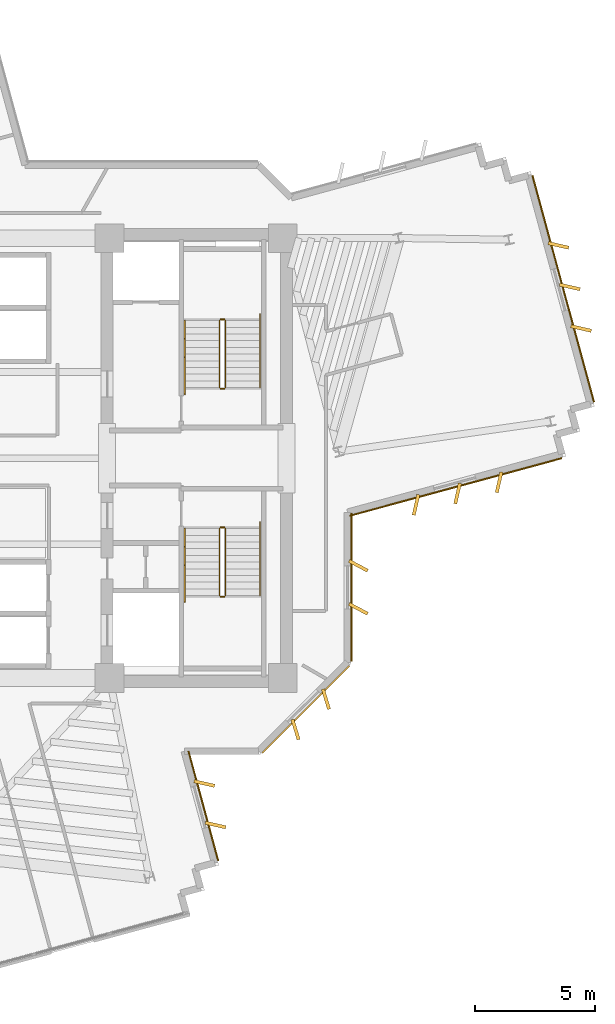
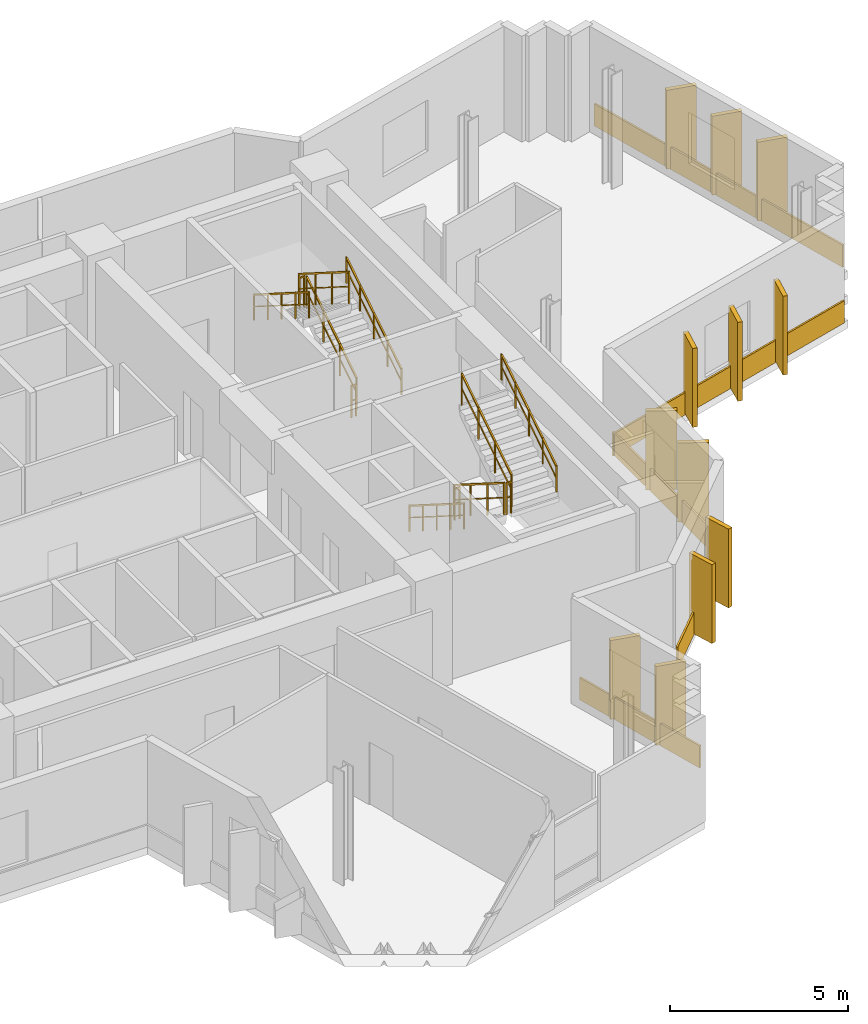
# One storey, part 14 of 15: 17 coverings, 12 railings.
"""IFC4 building model written with IfcOpenShell, lengths in metres."""

from ifc_helpers import new_model, si_unit, direction, frame, origin, origin_2d, place, context, subcontext, project, spatial, rectangle, extrude, source, transform, mapped, material, layer, layer_set, type_object, element, save


model = new_model("IFC4")

# Units and contexts
model_context = context("Model", 3, precision=1e-05, world=origin(), true_north=direction((0.0, 1.0)))
body_context = subcontext(model_context, "Body", "Model", "MODEL_VIEW")
ifc_project = project(units=[si_unit("LENGTHUNIT", "METRE"), si_unit("AREAUNIT", "SQUARE_METRE"), si_unit("VOLUMEUNIT", "CUBIC_METRE"), si_unit("PLANEANGLEUNIT", "RADIAN"), si_unit("MASSUNIT", "GRAM", prefix="KILO")], contexts=[model_context])

# Site, building, storey
site_placement = place(None, origin())
site = spatial("IfcSite", under=ifc_project, at=site_placement, CompositionType="ELEMENT")
building_placement = place(site_placement, origin())
building = spatial("IfcBuilding", under=site, at=building_placement, Name="Zahravan Cultural Tower", CompositionType="ELEMENT")
storey_placement = place(building_placement, frame((0.0, 0.0, 194.10009765625)))
storey = spatial("IfcBuildingStorey", under=building, at=storey_placement, Name="L45", CompositionType="ELEMENT", Elevation=194.10009765625)

# Railings
ifc_material_1 = material(Name="Steel ASTM A572 Grade 50", Category="steel")
railing_type_1 = type_object("IfcRailingType", Name="RL-STAIR-GRD1150", PredefinedType="BALUSTRADE", material=ifc_material_1)
railing_1_placement = place(storey_placement, frame((47.949951171875, 29.949951171875, 0.17724609375)))
element("IfcRailing", 1, at=railing_1_placement, inside=storey, type_object=railing_type_1, Name="L45 ST-E1 stair guard 1", PredefinedType="BALUSTRADE", context=body_context, shape_type="SweptSolid", body=[
    extrude(rectangle(XDim=0.05, YDim=0.05, at=origin_2d()), frame((0.0, 0.0, 1.0751953125), z_axis=(0.0, 0.844908973607, 0.534910110503), x_axis=(-1.0, 0.0, 0.0)), (0.0, 0.0, 1.0), 3.31396484375),
    extrude(rectangle(XDim=0.032, YDim=0.032, at=origin_2d()), frame((0.0, 0.0, 0.572021484375), z_axis=(0.0, 0.844908973607, 0.534910110503), x_axis=(-1.0, 0.0, 0.0)), (0.0, 0.0, 1.0), 3.31396484375),
    extrude(rectangle(XDim=0.04, YDim=0.04, at=origin_2d()), origin(), (0.0, 0.0, 1.0), 1.10009765625),
    extrude(rectangle(XDim=0.04, YDim=0.04, at=origin_2d()), frame((0.0, 0.933349609375, 0.5908203125)), (0.0, 0.0, 1.0), 1.10009765625),
    extrude(rectangle(XDim=0.04, YDim=0.04, at=origin_2d()), frame((0.0, 1.86669921875, 1.181884765625)), (0.0, 0.0, 1.0), 1.10009765625),
    extrude(rectangle(XDim=0.04, YDim=0.04, at=origin_2d()), frame((0.0, 2.800048828125, 1.772705078125)), (0.0, 0.0, 1.0), 1.10009765625),
])
railing_2_placement = place(storey_placement, frame((47.89990234375, 32.800048828125, 1.949951171875)))
element("IfcRailing", 2, at=railing_2_placement, inside=storey, type_object=railing_type_1, Name="L45 ST-E1 stair guard 2", PredefinedType="BALUSTRADE", context=body_context, shape_type="SweptSolid", body=[
    extrude(rectangle(XDim=0.05, YDim=0.05, at=origin_2d()), frame((0.0, 0.0, 1.0751953125), z_axis=(-1.0, 0.0, 0.0), x_axis=(0.0, -1.0, 0.0)), (0.0, 0.0, 1.0), 0.14990234375),
    extrude(rectangle(XDim=0.032, YDim=0.032, at=origin_2d()), frame((0.0, 0.0, 0.572021484375), z_axis=(-1.0, 0.0, 0.0), x_axis=(0.0, -1.0, 0.0)), (0.0, 0.0, 1.0), 0.14990234375),
    extrude(rectangle(XDim=0.04, YDim=0.04, at=origin_2d()), origin(), (0.0, 0.0, 1.0), 1.10009765625),
    extrude(rectangle(XDim=0.04, YDim=0.04, at=origin_2d()), frame((-0.14990234375, 0.0, 0.0)), (0.0, 0.0, 1.0), 1.10009765625),
])
railing_3_placement = place(storey_placement, frame((47.699951171875, 32.75, 2.127197265625)))
element("IfcRailing", 3, at=railing_3_placement, inside=storey, type_object=railing_type_1, Name="L45 ST-E1 stair guard 3", PredefinedType="BALUSTRADE", context=body_context, shape_type="SweptSolid", body=[
    extrude(rectangle(XDim=0.05, YDim=0.05, at=origin_2d()), frame((0.0, 0.0, 1.0751953125), z_axis=(0.0, -0.844908973607, 0.534910110503), x_axis=(1.0, 0.0, 0.0)), (0.0, 0.0, 1.0), 3.31396484375),
    extrude(rectangle(XDim=0.032, YDim=0.032, at=origin_2d()), frame((0.0, 0.0, 0.572021484375), z_axis=(0.0, -0.844908973607, 0.534910110503), x_axis=(1.0, 0.0, 0.0)), (0.0, 0.0, 1.0), 3.31396484375),
    extrude(rectangle(XDim=0.04, YDim=0.04, at=origin_2d()), origin(), (0.0, 0.0, 1.0), 1.10009765625),
    extrude(rectangle(XDim=0.04, YDim=0.04, at=origin_2d()), frame((0.0, -0.933349609375, 0.5908203125)), (0.0, 0.0, 1.0), 1.10009765625),
    extrude(rectangle(XDim=0.04, YDim=0.04, at=origin_2d()), frame((0.0, -1.86669921875, 1.181884765625)), (0.0, 0.0, 1.0), 1.10009765625),
    extrude(rectangle(XDim=0.04, YDim=0.04, at=origin_2d()), frame((0.0, -2.800048828125, 1.772705078125)), (0.0, 0.0, 1.0), 1.10009765625),
])
railing_4_placement = place(storey_placement, frame((47.89990234375, 29.89990234375, 0.0)))
element("IfcRailing", 4, at=railing_4_placement, inside=storey, type_object=railing_type_1, Name="L45 ST-E1 stair guard 4", PredefinedType="BALUSTRADE", context=body_context, shape_type="SweptSolid", body=[
    extrude(rectangle(XDim=0.05, YDim=0.05, at=origin_2d()), frame((0.0, 0.0, 1.0751953125), z_axis=(-1.0, 0.0, 0.0), x_axis=(0.0, -1.0, 0.0)), (0.0, 0.0, 1.0), 0.14990234375),
    extrude(rectangle(XDim=0.032, YDim=0.032, at=origin_2d()), frame((0.0, 0.0, 0.572021484375), z_axis=(-1.0, 0.0, 0.0), x_axis=(0.0, -1.0, 0.0)), (0.0, 0.0, 1.0), 0.14990234375),
    extrude(rectangle(XDim=0.04, YDim=0.04, at=origin_2d()), origin(), (0.0, 0.0, 1.0), 1.10009765625),
    extrude(rectangle(XDim=0.04, YDim=0.04, at=origin_2d()), frame((-0.14990234375, 0.0, 0.0)), (0.0, 0.0, 1.0), 1.10009765625),
])
railing_5_placement = place(storey_placement, frame((47.699951171875, 24.050048828125, 0.17724609375)))
element("IfcRailing", 5, at=railing_5_placement, inside=storey, type_object=railing_type_1, Name="L45 ST-E2 stair guard 1", PredefinedType="BALUSTRADE", context=body_context, shape_type="SweptSolid", body=[
    extrude(rectangle(XDim=0.05, YDim=0.05, at=origin_2d()), frame((0.0, 0.0, 1.0751953125), z_axis=(0.0, -0.844908973607, 0.534910110503), x_axis=(1.0, 0.0, 0.0)), (0.0, 0.0, 1.0), 3.31396484375),
    extrude(rectangle(XDim=0.032, YDim=0.032, at=origin_2d()), frame((0.0, 0.0, 0.572021484375), z_axis=(0.0, -0.844908973607, 0.534910110503), x_axis=(1.0, 0.0, 0.0)), (0.0, 0.0, 1.0), 3.31396484375),
    extrude(rectangle(XDim=0.04, YDim=0.04, at=origin_2d()), origin(), (0.0, 0.0, 1.0), 1.10009765625),
    extrude(rectangle(XDim=0.04, YDim=0.04, at=origin_2d()), frame((0.0, -0.933349609375, 0.5908203125)), (0.0, 0.0, 1.0), 1.10009765625),
    extrude(rectangle(XDim=0.04, YDim=0.04, at=origin_2d()), frame((0.0, -1.86669921875, 1.181884765625)), (0.0, 0.0, 1.0), 1.10009765625),
    extrude(rectangle(XDim=0.04, YDim=0.04, at=origin_2d()), frame((0.0, -2.800048828125, 1.772705078125)), (0.0, 0.0, 1.0), 1.10009765625),
])
railing_6_placement = place(storey_placement, frame((47.75, 21.199951171875, 1.949951171875)))
element("IfcRailing", 6, at=railing_6_placement, inside=storey, type_object=railing_type_1, Name="L45 ST-E2 stair guard 2", PredefinedType="BALUSTRADE", context=body_context, shape_type="SweptSolid", body=[
    extrude(rectangle(XDim=0.05, YDim=0.05, at=origin_2d()), frame((0.0, 0.0, 1.0751953125), z_axis=(1.0, 0.0, 0.0), x_axis=(0.0, 1.0, 0.0)), (0.0, 0.0, 1.0), 0.14990234375),
    extrude(rectangle(XDim=0.032, YDim=0.032, at=origin_2d()), frame((0.0, 0.0, 0.572021484375), z_axis=(1.0, 0.0, 0.0), x_axis=(0.0, 1.0, 0.0)), (0.0, 0.0, 1.0), 0.14990234375),
    extrude(rectangle(XDim=0.04, YDim=0.04, at=origin_2d()), origin(), (0.0, 0.0, 1.0), 1.10009765625),
    extrude(rectangle(XDim=0.04, YDim=0.04, at=origin_2d()), frame((0.14990234375, 0.0, 0.0)), (0.0, 0.0, 1.0), 1.10009765625),
])
railing_7_placement = place(storey_placement, frame((47.949951171875, 21.25, 2.127197265625)))
element("IfcRailing", 7, at=railing_7_placement, inside=storey, type_object=railing_type_1, Name="L45 ST-E2 stair guard 3", PredefinedType="BALUSTRADE", context=body_context, shape_type="SweptSolid", body=[
    extrude(rectangle(XDim=0.05, YDim=0.05, at=origin_2d()), frame((0.0, 0.0, 1.0751953125), z_axis=(0.0, 0.844908973607, 0.534910110503), x_axis=(-1.0, 0.0, 0.0)), (0.0, 0.0, 1.0), 3.31396484375),
    extrude(rectangle(XDim=0.032, YDim=0.032, at=origin_2d()), frame((0.0, 0.0, 0.572021484375), z_axis=(0.0, 0.844908973607, 0.534910110503), x_axis=(-1.0, 0.0, 0.0)), (0.0, 0.0, 1.0), 3.31396484375),
    extrude(rectangle(XDim=0.04, YDim=0.04, at=origin_2d()), origin(), (0.0, 0.0, 1.0), 1.10009765625),
    extrude(rectangle(XDim=0.04, YDim=0.04, at=origin_2d()), frame((0.0, 0.933349609375, 0.5908203125)), (0.0, 0.0, 1.0), 1.10009765625),
    extrude(rectangle(XDim=0.04, YDim=0.04, at=origin_2d()), frame((0.0, 1.86669921875, 1.181884765625)), (0.0, 0.0, 1.0), 1.10009765625),
    extrude(rectangle(XDim=0.04, YDim=0.04, at=origin_2d()), frame((0.0, 2.800048828125, 1.772705078125)), (0.0, 0.0, 1.0), 1.10009765625),
])
railing_8_placement = place(storey_placement, frame((47.75, 24.10009765625, 0.0)))
element("IfcRailing", 8, at=railing_8_placement, inside=storey, type_object=railing_type_1, Name="L45 ST-E2 stair guard 4", PredefinedType="BALUSTRADE", context=body_context, shape_type="SweptSolid", body=[
    extrude(rectangle(XDim=0.05, YDim=0.05, at=origin_2d()), frame((0.0, 0.0, 1.0751953125), z_axis=(1.0, 0.0, 0.0), x_axis=(0.0, 1.0, 0.0)), (0.0, 0.0, 1.0), 0.14990234375),
    extrude(rectangle(XDim=0.032, YDim=0.032, at=origin_2d()), frame((0.0, 0.0, 0.572021484375), z_axis=(1.0, 0.0, 0.0), x_axis=(0.0, 1.0, 0.0)), (0.0, 0.0, 1.0), 0.14990234375),
    extrude(rectangle(XDim=0.04, YDim=0.04, at=origin_2d()), origin(), (0.0, 0.0, 1.0), 1.10009765625),
    extrude(rectangle(XDim=0.04, YDim=0.04, at=origin_2d()), frame((0.14990234375, 0.0, 0.0)), (0.0, 0.0, 1.0), 1.10009765625),
])
railing_type_2 = type_object("IfcRailingType", Name="RL-STAIR-HR900", PredefinedType="HANDRAIL", material=ifc_material_1)
railing_9_placement = place(storey_placement, frame((49.39990234375, 29.949951171875, 0.17724609375)))
element("IfcRailing", 9, at=railing_9_placement, inside=storey, type_object=railing_type_2, Name="L45 ST-E1 stair handrail 1", PredefinedType="HANDRAIL", context=body_context, shape_type="SweptSolid", body=[
    extrude(rectangle(XDim=0.05, YDim=0.05, at=origin_2d()), frame((0.0, 0.0, 0.875), z_axis=(0.0, 0.844913916606, 0.534902302785), x_axis=(-1.0, 0.0, 0.0)), (0.0, 0.0, 1.0), 3.6455078125),
    extrude(rectangle(XDim=0.032, YDim=0.032, at=origin_2d()), frame((0.0, 0.0, 0.468017578125), z_axis=(0.0, 0.844913916606, 0.534902302785), x_axis=(-1.0, 0.0, 0.0)), (0.0, 0.0, 1.0), 3.6455078125),
    extrude(rectangle(XDim=0.04, YDim=0.04, at=origin_2d()), origin(), (0.0, 0.0, 1.0), 0.89990234375),
    extrude(rectangle(XDim=0.04, YDim=0.04, at=origin_2d()), frame((0.0, 0.77001953125, 0.487548828125)), (0.0, 0.0, 1.0), 0.89990234375),
    extrude(rectangle(XDim=0.04, YDim=0.04, at=origin_2d()), frame((0.0, 1.5400390625, 0.97509765625)), (0.0, 0.0, 1.0), 0.89990234375),
    extrude(rectangle(XDim=0.04, YDim=0.04, at=origin_2d()), frame((0.0, 2.31005859375, 1.46240234375)), (0.0, 0.0, 1.0), 0.89990234375),
    extrude(rectangle(XDim=0.04, YDim=0.04, at=origin_2d()), frame((0.0, 3.080078125, 1.949951171875)), (0.0, 0.0, 1.0), 0.89990234375),
])
for number, where, name in (
    (10, (46.25, 32.75, 2.127197265625), "L45 ST-E1 stair handrail 2"),
    (11, (46.25, 24.050048828125, 0.17724609375), "L45 ST-E2 stair handrail 1"),
):
    element("IfcRailing", number, at=place(storey_placement, frame(where)), inside=storey, type_object=railing_type_2, Name=name, PredefinedType="HANDRAIL", context=body_context, shape_type="SweptSolid", body=[
        extrude(rectangle(XDim=0.05, YDim=0.05, at=origin_2d()), frame((0.0, 0.0, 0.875), z_axis=(0.0, -0.844913916606, 0.534902302785), x_axis=(1.0, 0.0, 0.0)), (0.0, 0.0, 1.0), 3.6455078125),
        extrude(rectangle(XDim=0.032, YDim=0.032, at=origin_2d()), frame((0.0, 0.0, 0.468017578125), z_axis=(0.0, -0.844913916606, 0.534902302785), x_axis=(1.0, 0.0, 0.0)), (0.0, 0.0, 1.0), 3.6455078125),
        extrude(rectangle(XDim=0.04, YDim=0.04, at=origin_2d()), origin(), (0.0, 0.0, 1.0), 0.89990234375),
        extrude(rectangle(XDim=0.04, YDim=0.04, at=origin_2d()), frame((0.0, -0.77001953125, 0.487548828125)), (0.0, 0.0, 1.0), 0.89990234375),
        extrude(rectangle(XDim=0.04, YDim=0.04, at=origin_2d()), frame((0.0, -1.5400390625, 0.97509765625)), (0.0, 0.0, 1.0), 0.89990234375),
        extrude(rectangle(XDim=0.04, YDim=0.04, at=origin_2d()), frame((0.0, -2.31005859375, 1.46240234375)), (0.0, 0.0, 1.0), 0.89990234375),
        extrude(rectangle(XDim=0.04, YDim=0.04, at=origin_2d()), frame((0.0, -3.080078125, 1.949951171875)), (0.0, 0.0, 1.0), 0.89990234375),
    ])
railing_10_placement = place(storey_placement, frame((49.39990234375, 21.25, 2.127197265625)))
element("IfcRailing", 12, at=railing_10_placement, inside=storey, type_object=railing_type_2, Name="L45 ST-E2 stair handrail 2", PredefinedType="HANDRAIL", context=body_context, shape_type="SweptSolid", body=[
    extrude(rectangle(XDim=0.05, YDim=0.05, at=origin_2d()), frame((0.0, 0.0, 0.875), z_axis=(0.0, 0.844913916606, 0.534902302785), x_axis=(-1.0, 0.0, 0.0)), (0.0, 0.0, 1.0), 3.6455078125),
    extrude(rectangle(XDim=0.032, YDim=0.032, at=origin_2d()), frame((0.0, 0.0, 0.468017578125), z_axis=(0.0, 0.844913916606, 0.534902302785), x_axis=(-1.0, 0.0, 0.0)), (0.0, 0.0, 1.0), 3.6455078125),
    extrude(rectangle(XDim=0.04, YDim=0.04, at=origin_2d()), origin(), (0.0, 0.0, 1.0), 0.89990234375),
    extrude(rectangle(XDim=0.04, YDim=0.04, at=origin_2d()), frame((0.0, 0.77001953125, 0.487548828125)), (0.0, 0.0, 1.0), 0.89990234375),
    extrude(rectangle(XDim=0.04, YDim=0.04, at=origin_2d()), frame((0.0, 1.5400390625, 0.97509765625)), (0.0, 0.0, 1.0), 0.89990234375),
    extrude(rectangle(XDim=0.04, YDim=0.04, at=origin_2d()), frame((0.0, 2.31005859375, 1.46240234375)), (0.0, 0.0, 1.0), 0.89990234375),
    extrude(rectangle(XDim=0.04, YDim=0.04, at=origin_2d()), frame((0.0, 3.080078125, 1.949951171875)), (0.0, 0.0, 1.0), 0.89990234375),
])

# Coverings
ifc_material_2 = material(Name="Terracotta ceramic cladding", Category="masonry")
ifc_layer = layer(ifc_material_2, 0.06005859375)
ifc_layer_set = layer_set([ifc_layer], Name="Terracotta ceramic cladding")
covering_type = type_object("IfcCoveringType", Name="COV-CLAD-TC60", PredefinedType="CLADDING", material=ifc_layer_set)
shared_shape_1 = source(origin(), body_context, "Body", "SweptSolid", [
    extrude(rectangle(XDim=9.820068359375, YDim=0.06005859375, at=origin_2d()), origin(), (0.0, 0.0, 1.0), 0.760009765625),
])
covering_1_placement = place(storey_placement, frame((62.07958984375, 34.085693359375, 0.02001953125), z_axis=(0.0, 0.0, 1.0), x_axis=(0.262189178641, -0.965016494472, 0.0)))
element("IfcCovering", 13, at=covering_1_placement, inside=storey, type_object=covering_type, Name="L45 Terracotta Spandrel Cladding 06", PredefinedType="CLADDING", context=body_context, shape_type="MappedRepresentation", body=[
    mapped(shared_shape_1, transform((0.0, 0.0, 0.0), x_axis=(1.0, 0.0, 0.0), y_axis=(0.0, 1.0, 0.0), z_axis=(0.0, 0.0, 1.0), scale=1.0)),
])
shared_shape_2 = source(origin(), body_context, "Body", "SweptSolid", [
    extrude(rectangle(XDim=5.157958984375, YDim=0.06005859375, at=origin_2d()), origin(), (0.0, 0.0, 1.0), 0.760009765625),
])
covering_2_placement = place(storey_placement, frame((51.317626953125, 16.482421875, 0.02001953125), z_axis=(0.0, 0.0, 1.0), x_axis=(-0.707106781187, -0.707106781187, 0.0)))
element("IfcCovering", 14, at=covering_2_placement, inside=storey, type_object=covering_type, Name="L45 Terracotta Spandrel Cladding 13", PredefinedType="CLADDING", context=body_context, shape_type="MappedRepresentation", body=[
    mapped(shared_shape_2, transform((0.0, 0.0, 0.0), x_axis=(1.0, 0.0, 0.0), y_axis=(0.0, 1.0, 0.0), z_axis=(0.0, 0.0, 1.0), scale=1.0)),
])
shared_shape_3 = source(origin(), body_context, "Body", "SweptSolid", [
    extrude(rectangle(XDim=0.8798828125, YDim=0.139892578125, at=origin_2d()), origin(), (0.0, 0.0, 1.0), 2.699951171875),
])
for number, where, z_axis, x_axis, name in (
    (15, (61.8828125, 35.8974609375, 0.0498046875), (0.0, 0.0, 1.0), (0.975149354306, -0.221548497619, 0.0), "L45 Herringbone Terracotta Fin 04"),
    (16, (62.3544921875, 34.160400390625, 0.0498046875), (0.0, 0.0, 1.0), (0.975149354306, -0.221548497619, 0.0), "L45 Herringbone Terracotta Fin 05"),
    (17, (62.826416015625, 32.42333984375, 0.0498046875), (0.0, 0.0, 1.0), (0.975149354306, -0.221548497619, 0.0), "L45 Herringbone Terracotta Fin 06"),
    (18, (59.39794921875, 25.989501953125, 0.0498046875), (0.0, 0.0, 1.0), (-0.221548497619, -0.975149354306, 0.0), "L45 Herringbone Terracotta Fin 07"),
    (19, (57.660888671875, 25.517333984375, 0.0498046875), (0.0, 0.0, 1.0), (-0.221548497619, -0.975149354306, 0.0), "L45 Herringbone Terracotta Fin 08"),
    (20, (55.924072265625, 25.04541015625, 0.0498046875), (0.0, 0.0, 1.0), (-0.221548497619, -0.975149354306, 0.0), "L45 Herringbone Terracotta Fin 09"),
    (21, (53.510009765625, 22.495849609375, 0.0498046875), (0.0, 0.0, 1.0), (0.882947592859, -0.469471562786, 0.0), "L45 Herringbone Terracotta Fin 10"),
    (22, (53.510009765625, 20.69580078125, 0.0498046875), (0.0, 0.0, 1.0), (0.882947592859, -0.469471562786, 0.0), "L45 Herringbone Terracotta Fin 11"),
    (23, (52.155517578125, 16.917236328125, 0.0498046875), (0.0, 0.0, 1.0), (0.292371704723, -0.956304755963, 0.0), "L45 Herringbone Terracotta Fin 12"),
    (24, (50.8828125, 15.644287109375, 0.0498046875), (0.0, 0.0, 1.0), (0.292371704723, -0.956304755963, 0.0), "L45 Herringbone Terracotta Fin 13"),
    (25, (47.06591796875, 13.38818359375, 0.0498046875), (0.0, 0.0, 1.0), (0.975149354306, -0.221548497619, 0.0), "L45 Herringbone Terracotta Fin 14"),
    (26, (47.537841796875, 11.651123046875, 0.0498046875), (0.0, 0.0, 1.0), (0.975149354306, -0.221548497619, 0.0), "L45 Herringbone Terracotta Fin 15"),
):
    element("IfcCovering", number, at=place(storey_placement, frame(where, z_axis=z_axis, x_axis=x_axis)), inside=storey, type_object=covering_type, Name=name, PredefinedType="CLADDING", context=body_context, shape_type="MappedRepresentation", body=[
        mapped(shared_shape_3, transform((0.0, 0.0, 0.0), x_axis=(1.0, 0.0, 0.0), y_axis=(0.0, 1.0, 0.0), z_axis=(0.0, 0.0, 1.0), scale=1.0)),
    ])
shared_shape_4 = source(origin(), body_context, "Body", "SweptSolid", [
    extrude(rectangle(XDim=9.19091796875, YDim=0.06005859375, at=origin_2d()), origin(), (0.0, 0.0, 1.0), 0.760009765625),
])
covering_3_placement = place(storey_placement, frame((57.586181640625, 25.79248046875, 0.02001953125), z_axis=(0.0, 0.0, 1.0), x_axis=(-0.965016494472, -0.262189178641, 0.0)))
element("IfcCovering", 27, at=covering_3_placement, inside=storey, type_object=covering_type, Name="L45 Terracotta Spandrel Cladding 11", PredefinedType="CLADDING", context=body_context, shape_type="MappedRepresentation", body=[
    mapped(shared_shape_4, transform((0.0, 0.0, 0.0), x_axis=(1.0, 0.0, 0.0), y_axis=(0.0, 1.0, 0.0), z_axis=(0.0, 0.0, 1.0), scale=1.0)),
])
shared_shape_5 = source(origin(), body_context, "Body", "SweptSolid", [
    extrude(rectangle(XDim=6.17578125, YDim=0.06005859375, at=origin_2d()), origin(), (0.0, 0.0, 1.0), 0.760009765625),
])
covering_4_placement = place(storey_placement, frame((53.22509765625, 21.595703125, 0.02001953125), z_axis=(0.0, 0.0, 1.0), x_axis=(0.0, -1.0, 0.0)))
element("IfcCovering", 28, at=covering_4_placement, inside=storey, type_object=covering_type, Name="L45 Terracotta Spandrel Cladding 12", PredefinedType="CLADDING", context=body_context, shape_type="MappedRepresentation", body=[
    mapped(shared_shape_5, transform((0.0, 0.0, 0.0), x_axis=(1.0, 0.0, 0.0), y_axis=(0.0, 1.0, 0.0), z_axis=(0.0, 0.0, 1.0), scale=1.0)),
])
shared_shape_6 = source(origin(), body_context, "Body", "SweptSolid", [
    extrude(rectangle(XDim=4.74609375, YDim=0.06005859375, at=origin_2d()), origin(), (0.0, 0.0, 1.0), 0.760009765625),
])
covering_5_placement = place(storey_placement, frame((47.02685546875, 12.445068359375, 0.02001953125), z_axis=(0.0, 0.0, 1.0), x_axis=(0.262189178641, -0.965016494472, 0.0)))
element("IfcCovering", 29, at=covering_5_placement, inside=storey, type_object=covering_type, Name="L45 Terracotta Spandrel Cladding 15", PredefinedType="CLADDING", context=body_context, shape_type="MappedRepresentation", body=[
    mapped(shared_shape_6, transform((0.0, 0.0, 0.0), x_axis=(1.0, 0.0, 0.0), y_axis=(0.0, 1.0, 0.0), z_axis=(0.0, 0.0, 1.0), scale=1.0)),
])

save(model, "model.ifc")
